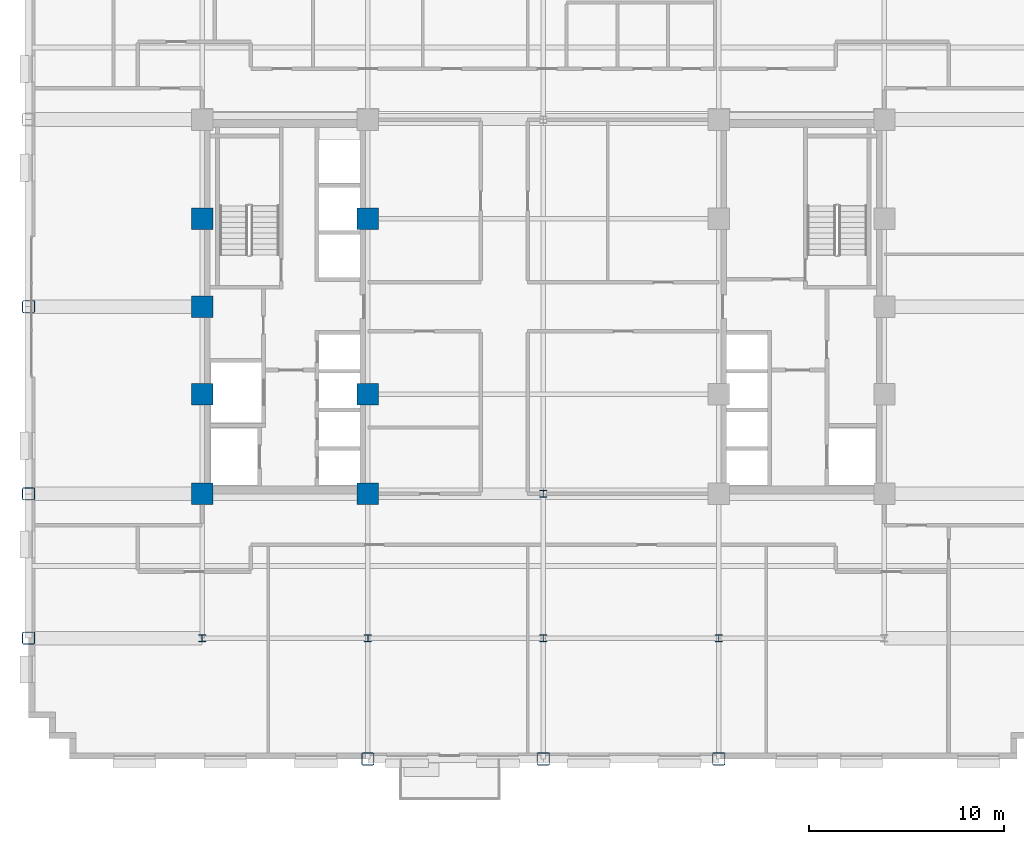
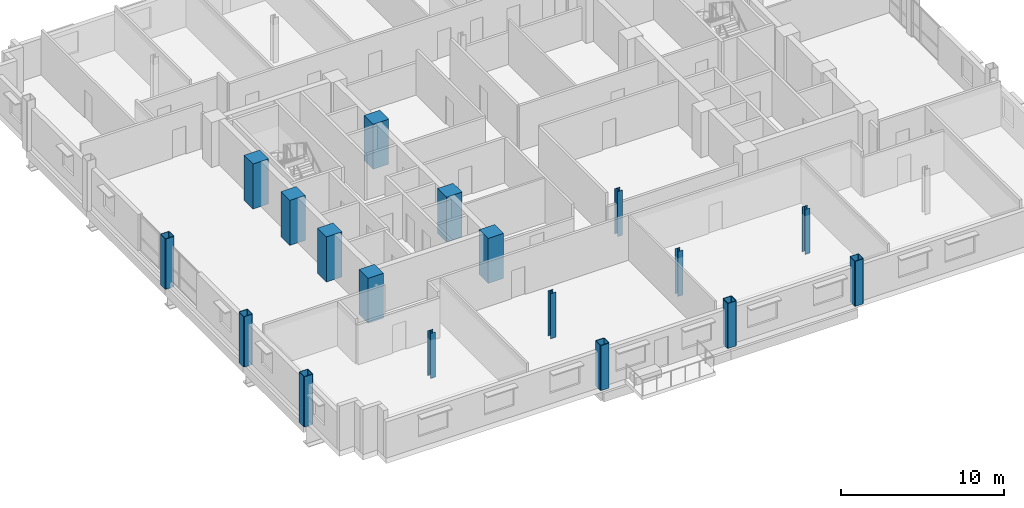
# One storey, part 1 of 16: 18 columns.
"""IFC4 building model written with IfcOpenShell, lengths in metres."""

from ifc_helpers import new_model, si_unit, direction, frame, origin, origin_2d, place, context, subcontext, project, spatial, rectangle, hollow_rectangle, i_section, extrude, material, material_profile, profile_set, type_object, element, save


model = new_model("IFC4")

# Units and contexts
model_context = context("Model", 3, precision=1e-05, world=origin(), true_north=direction((0.0, 1.0)))
body_context = subcontext(model_context, "Body", "Model", "MODEL_VIEW")
ifc_project = project(units=[si_unit("LENGTHUNIT", "METRE"), si_unit("AREAUNIT", "SQUARE_METRE"), si_unit("VOLUMEUNIT", "CUBIC_METRE"), si_unit("PLANEANGLEUNIT", "RADIAN"), si_unit("MASSUNIT", "GRAM", prefix="KILO")], contexts=[model_context])

# Site, building, storey
site_placement = place(None, origin())
site = spatial("IfcSite", under=ifc_project, at=site_placement, CompositionType="ELEMENT")
building_placement = place(site_placement, origin())
building = spatial("IfcBuilding", under=site, at=building_placement, Name="Nuvemarco Arch Tower", CompositionType="ELEMENT")
storey_placement = place(building_placement, frame((0.0, 0.0, 116.550048828125)))
storey = spatial("IfcBuildingStorey", under=building, at=storey_placement, Name="L30", CompositionType="ELEMENT", Elevation=116.550048828125)

# Columns
ifc_material_1 = material(Name="Concrete C60/75", Category="concrete")
ifc_material_profile_1 = material_profile(ifc_material_1, rectangle(XDim=1.10009765625, YDim=1.10009765625, at=origin_2d()), Name="RC-COL-1100x1100")
ifc_profile_set_1 = profile_set([ifc_material_profile_1], Name="Concrete C60/75")
column_type_1 = type_object("IfcColumnType", Name="COL-CORE-1100", PredefinedType="COLUMN", material=ifc_profile_set_1)
for number, where, z_axis, x_axis, name in (
    (1, (-17.5, -9.60009765625, 0.0), (0.0, 0.0, 1.0), (1.0, 0.0, 0.0), "L30 column CC_-17.5_-9.6"),
    (2, (-17.5, -4.5, 0.0), (0.0, 0.0, 1.0), (1.0, 0.0, 0.0), "L30 column CC_-17.5_-4.5"),
    (3, (-17.5, 4.5, 0.0), (0.0, 0.0, 1.0), (1.0, 0.0, 0.0), "L30 column CC_-17.5_+4.5"),
    (4, (-9.0, -9.60009765625, 0.0), (0.0, 0.0, 1.0), (1.0, 0.0, 0.0), "L30 column CC_-9.0_-9.6"),
    (5, (-9.0, -4.5, 0.0), (0.0, 0.0, 1.0), (1.0, 0.0, 0.0), "L30 column CC_-9.0_-4.5"),
    (6, (-9.0, 4.5, 0.0), (0.0, 0.0, 1.0), (1.0, 0.0, 0.0), "L30 column CC_-9.0_+4.5"),
    (7, (-17.5, 0.0, 0.0), (0.0, 0.0, 1.0), (1.0, 0.0, 0.0), "L30 column CC_-17.5_+0.0"),
):
    element("IfcColumn", number, at=place(storey_placement, frame(where, z_axis=z_axis, x_axis=x_axis)), inside=storey, type_object=column_type_1, Name=name, PredefinedType="COLUMN", context=body_context, shape_type="SweptSolid", body=[
        extrude(rectangle(XDim=1.10009765625, YDim=1.10009765625, at=origin_2d()), origin(), (0.0, 0.0, 1.0), 3.369873046875),
    ])
ifc_material_2 = material(Name="Steel S355", Category="steel")
ifc_material_profile_2 = material_profile(ifc_material_2, hollow_rectangle(XDim=0.64990234375, YDim=0.64990234375, WallThickness=0.0400390625, InnerFilletRadius=0.0400390625, OuterFilletRadius=0.080078125, at=origin_2d()), Name="SHS650x650x40")
ifc_profile_set_2 = profile_set([ifc_material_profile_2], Name="Steel S355")
column_type_2 = type_object("IfcColumnType", Name="COL-EXO-650", PredefinedType="COLUMN", material=ifc_profile_set_2)
for number, where, z_axis, x_axis, name in (
    (8, (-26.39990234375, -17.0, -0.400146484375), (0.0, 0.0, 1.0), (1.0, 0.0, 0.0), "L30 column CX_-26.4_-17.0"),
    (9, (-26.39990234375, -9.60009765625, -0.400146484375), (0.0, 0.0, 1.0), (1.0, 0.0, 0.0), "L30 column CX_-26.4_-9.6"),
    (10, (-26.39990234375, 0.0, -0.400146484375), (0.0, 0.0, 1.0), (1.0, 0.0, 0.0), "L30 column CX_-26.4_+0.0"),
):
    element("IfcColumn", number, at=place(storey_placement, frame(where, z_axis=z_axis, x_axis=x_axis)), inside=storey, type_object=column_type_2, Name=name, PredefinedType="COLUMN", context=body_context, shape_type="SweptSolid", body=[
        extrude(hollow_rectangle(XDim=0.64990234375, YDim=0.64990234375, WallThickness=0.0400390625, InnerFilletRadius=0.0400390625, OuterFilletRadius=0.080078125, at=origin_2d()), origin(), (0.0, 0.0, 1.0), 3.77001953125),
    ])
for number, where, z_axis, x_axis, name in (
    (11, (-9.0, -23.199951171875, 0.0), (0.0, 0.0, 1.0), (1.0, 0.0, 0.0), "L30 column CY_-9.0_-23.2"),
    (12, (0.0, -23.199951171875, 0.0), (0.0, 0.0, 1.0), (1.0, 0.0, 0.0), "L30 column CY_+0.0_-23.2"),
    (13, (9.0, -23.199951171875, 0.0), (0.0, 0.0, 1.0), (1.0, 0.0, 0.0), "L30 column CY_+9.0_-23.2"),
):
    element("IfcColumn", number, at=place(storey_placement, frame(where, z_axis=z_axis, x_axis=x_axis)), inside=storey, type_object=column_type_2, Name=name, PredefinedType="COLUMN", context=body_context, shape_type="SweptSolid", body=[
        extrude(hollow_rectangle(XDim=0.64990234375, YDim=0.64990234375, WallThickness=0.0400390625, InnerFilletRadius=0.0400390625, OuterFilletRadius=0.080078125, at=origin_2d()), origin(), (0.0, 0.0, 1.0), 3.369873046875),
    ])
ifc_material_profile_3 = material_profile(ifc_material_2, i_section(OverallWidth=0.360107421875, OverallDepth=0.360107421875, WebThickness=0.0205078125, FlangeThickness=0.0205078125, FilletRadius=0.01806640625, at=origin_2d()), Name="HP360x174")
ifc_profile_set_3 = profile_set([ifc_material_profile_3], Name="Steel S355")
column_type_3 = type_object("IfcColumnType", Name="COL-STL-HP360", PredefinedType="COLUMN", material=ifc_profile_set_3)
for number, where, z_axis, x_axis, name in (
    (14, (0.0, -17.0, 0.0), (0.0, 0.0, 1.0), (1.0, 0.0, 0.0), "L30 column CI_+0.0_-17.0"),
    (15, (0.0, -9.60009765625, 0.0), (0.0, 0.0, 1.0), (1.0, 0.0, 0.0), "L30 column CI_+0.0_-9.6"),
    (16, (-17.5, -17.0, 0.0), (0.0, 0.0, 1.0), (1.0, 0.0, 0.0), "L30 column CI_-17.5_-17.0"),
    (17, (-9.0, -17.0, 0.0), (0.0, 0.0, 1.0), (1.0, 0.0, 0.0), "L30 column CI_-9.0_-17.0"),
    (18, (9.0, -17.0, 0.0), (0.0, 0.0, 1.0), (1.0, 0.0, 0.0), "L30 column CI_+9.0_-17.0"),
):
    element("IfcColumn", number, at=place(storey_placement, frame(where, z_axis=z_axis, x_axis=x_axis)), inside=storey, type_object=column_type_3, Name=name, PredefinedType="COLUMN", context=body_context, shape_type="SweptSolid", body=[
        extrude(i_section(OverallWidth=0.360107421875, OverallDepth=0.360107421875, WebThickness=0.0205078125, FlangeThickness=0.0205078125, FilletRadius=0.01806640625, at=origin_2d()), origin(), (0.0, 0.0, 1.0), 3.369873046875),
    ])

save(model, "model.ifc")
